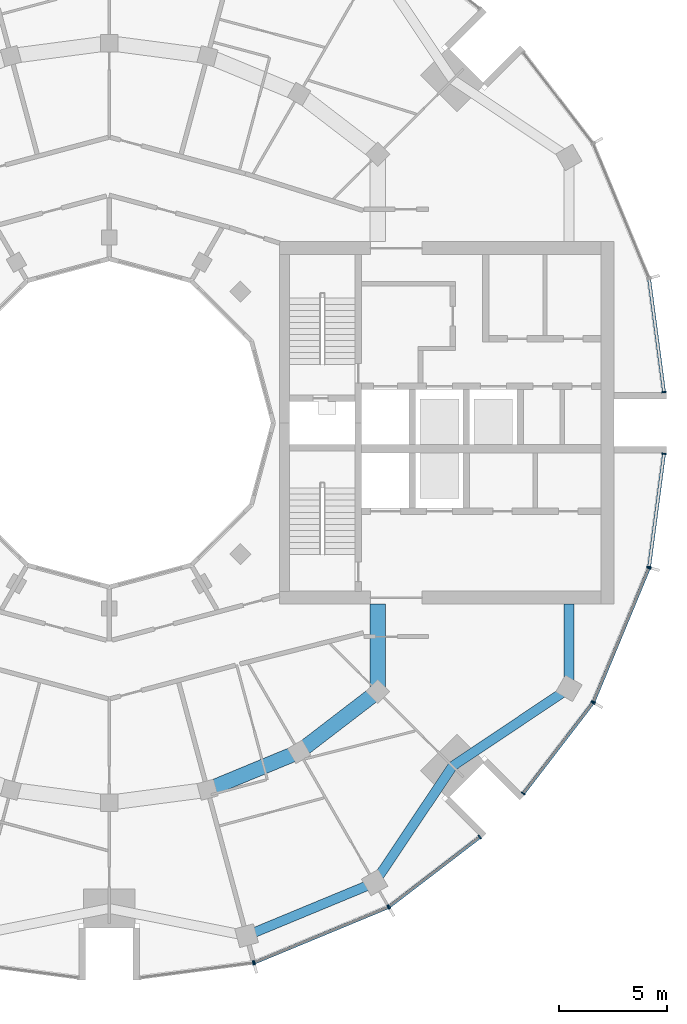
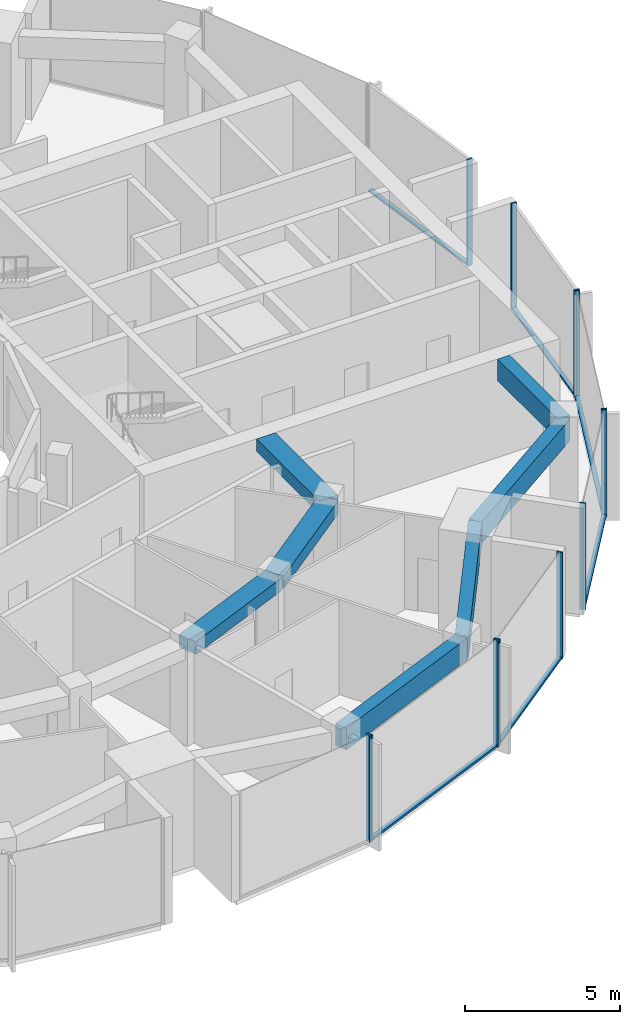
# One storey, part 4 of 15: 18 members, 7 beams, 7 elements without a shape of their own.
"""IFC4 building model written with IfcOpenShell, lengths in metres."""

from ifc_helpers import new_model, si_unit, direction, frame, origin, origin_2d, place, context, subcontext, project, spatial, rectangle, extrude, material, layer, layer_set, material_profile, profile_set, type_object, element, aggregate, save


model = new_model("IFC4")

# Units and contexts
model_context = context("Model", 3, precision=1e-05, world=origin(), true_north=direction((0.0, 1.0)))
body_context = subcontext(model_context, "Body", "Model", "MODEL_VIEW")
ifc_project = project(units=[si_unit("LENGTHUNIT", "METRE"), si_unit("AREAUNIT", "SQUARE_METRE"), si_unit("VOLUMEUNIT", "CUBIC_METRE"), si_unit("PLANEANGLEUNIT", "RADIAN"), si_unit("MASSUNIT", "GRAM", prefix="KILO")], contexts=[model_context])

# Site, building, storey
site_placement = place(None, origin())
site = spatial("IfcSite", under=ifc_project, at=site_placement, CompositionType="ELEMENT")
building_placement = place(site_placement, origin())
building = spatial("IfcBuilding", under=site, at=building_placement, Name="Torre Brocal", CompositionType="ELEMENT")
storey_placement = place(building_placement, frame((0.0, 0.0, 241.5)))
storey = spatial("IfcBuildingStorey", under=building, at=storey_placement, Name="L55", CompositionType="ELEMENT", Elevation=241.5)

# Curtain wall, member
ifc_material_1 = material(Name="Aluminium and glass", Category="aluminium")
ifc_layer_1 = layer(ifc_material_1, 0.199951171875)
ifc_layer_set_1 = layer_set([ifc_layer_1], Name="Aluminium and glass")
curtain_wall_type_1 = type_object("IfcCurtainWallType", Name="CW-1 CURTAIN WALL 4200 HIGH", PredefinedType="NOTDEFINED", material=ifc_layer_set_1)
curtain_wall_1_placement = place(storey_placement, origin())
curtain_wall_1 = element("IfcCurtainWall", 1, at=curtain_wall_1_placement, inside=storey, type_object=curtain_wall_type_1, Name="CW-1 RUN 19", PredefinedType="NOTDEFINED")
ifc_material_2 = material(Name="Aluminium, dark anodised", Category="aluminium")
ifc_material_profile_1 = material_profile(ifc_material_2, rectangle(XDim=0.199951171875, YDim=0.06005859375, at=origin_2d()), Name="CW-1 MULLION 60X200")
ifc_profile_set_1 = profile_set([ifc_material_profile_1], Name="Aluminium, dark anodised")
member_type_1 = type_object("IfcMemberType", Name="CW-1 MULLION 60X200", PredefinedType="MULLION", material=ifc_profile_set_1)
member_1_placement = place(storey_placement, frame((86.67333984375, 49.9794921875, 0.0), z_axis=(0.0, 0.0, 1.0), x_axis=(-0.13052619222, 0.991444861374, 0.0)))
member_1 = element("IfcMember", 2, at=member_1_placement, type_object=member_type_1, Name="CW1-5 mullion 2", PredefinedType="MULLION", context=body_context, shape_type="SweptSolid", body=[
    extrude(rectangle(XDim=0.199951171875, YDim=0.06005859375, at=origin_2d()), origin(), (0.0, 0.0, 1.0), 4.199951171875),
])
aggregate(curtain_wall_1, [member_1])

# Curtain wall, members
curtain_wall_2_placement = place(storey_placement, origin())
curtain_wall_2 = element("IfcCurtainWall", 3, at=curtain_wall_2_placement, inside=storey, type_object=curtain_wall_type_1, Name="CW-1 RUN 20", PredefinedType="NOTDEFINED")
member_2_placement = place(storey_placement, frame((86.73095703125, 49.994873046875, 0.0), z_axis=(0.0, 0.0, 1.0), x_axis=(-0.382683432333, 0.923879532525, 0.0)))
member_2 = element("IfcMember", 4, at=member_2_placement, type_object=member_type_1, Name="CW1-5 mullion 1", PredefinedType="MULLION", context=body_context, shape_type="SweptSolid", body=[
    extrude(rectangle(XDim=0.199951171875, YDim=0.06005859375, at=origin_2d()), origin(), (0.0, 0.0, 1.0), 4.199951171875),
])
member_3_placement = place(storey_placement, frame((92.921875, 52.559326171875, 0.0), z_axis=(0.0, 0.0, 1.0), x_axis=(-0.382683432333, 0.923879532525, 0.0)))
member_3 = element("IfcMember", 5, at=member_3_placement, type_object=member_type_1, Name="CW1-5 mullion 2", PredefinedType="MULLION", context=body_context, shape_type="SweptSolid", body=[
    extrude(rectangle(XDim=0.199951171875, YDim=0.06005859375, at=origin_2d()), origin(), (0.0, 0.0, 1.0), 4.199951171875),
])

curtain_wall_3_placement = place(storey_placement, origin())
curtain_wall_3 = element("IfcCurtainWall", 6, at=curtain_wall_3_placement, inside=storey, type_object=curtain_wall_type_1, Name="CW-1 RUN 21", PredefinedType="NOTDEFINED")
member_4_placement = place(storey_placement, frame((92.973388671875, 52.5888671875, 0.0), z_axis=(0.0, 0.0, 1.0), x_axis=(-0.60876142905, 0.793353340259, 0.0)))
member_4 = element("IfcMember", 7, at=member_4_placement, type_object=member_type_1, Name="CW1-5 mullion 1", PredefinedType="MULLION", context=body_context, shape_type="SweptSolid", body=[
    extrude(rectangle(XDim=0.199951171875, YDim=0.06005859375, at=origin_2d()), origin(), (0.0, 0.0, 1.0), 4.199951171875),
])
member_5_placement = place(storey_placement, frame((97.16943359375, 55.80859375, 0.0), z_axis=(0.0, 0.0, 1.0), x_axis=(-0.60876142905, 0.793353340259, 0.0)))
member_5 = element("IfcMember", 8, at=member_5_placement, type_object=member_type_1, Name="CW1-5 mullion 2", PredefinedType="MULLION", context=body_context, shape_type="SweptSolid", body=[
    extrude(rectangle(XDim=0.199951171875, YDim=0.06005859375, at=origin_2d()), origin(), (0.0, 0.0, 1.0), 4.199951171875),
])

curtain_wall_4_placement = place(storey_placement, origin())
curtain_wall_4 = element("IfcCurtainWall", 9, at=curtain_wall_4_placement, inside=storey, type_object=curtain_wall_type_1, Name="CW-1 RUN 22", PredefinedType="NOTDEFINED")
member_6_placement = place(storey_placement, frame((99.19140625, 57.83056640625, 0.0), z_axis=(0.0, 0.0, 1.0), x_axis=(-0.793353340259, 0.60876142905, 0.0)))
member_6 = element("IfcMember", 10, at=member_6_placement, type_object=member_type_1, Name="CW1-5 mullion 1", PredefinedType="MULLION", context=body_context, shape_type="SweptSolid", body=[
    extrude(rectangle(XDim=0.199951171875, YDim=0.06005859375, at=origin_2d()), origin(), (0.0, 0.0, 1.0), 4.199951171875),
])
member_7_placement = place(storey_placement, frame((102.4111328125, 62.026611328125, 0.0), z_axis=(0.0, 0.0, 1.0), x_axis=(-0.793353340259, 0.60876142905, 0.0)))
member_7 = element("IfcMember", 11, at=member_7_placement, type_object=member_type_1, Name="CW1-5 mullion 2", PredefinedType="MULLION", context=body_context, shape_type="SweptSolid", body=[
    extrude(rectangle(XDim=0.199951171875, YDim=0.06005859375, at=origin_2d()), origin(), (0.0, 0.0, 1.0), 4.199951171875),
])

curtain_wall_5_placement = place(storey_placement, origin())
curtain_wall_5 = element("IfcCurtainWall", 12, at=curtain_wall_5_placement, inside=storey, type_object=curtain_wall_type_1, Name="CW-1 RUN 23", PredefinedType="NOTDEFINED")
member_8_placement = place(storey_placement, frame((102.440673828125, 62.078125, 0.0), z_axis=(0.0, 0.0, 1.0), x_axis=(-0.923879532525, 0.382683432333, 0.0)))
member_8 = element("IfcMember", 13, at=member_8_placement, type_object=member_type_1, Name="CW1-5 mullion 1", PredefinedType="MULLION", context=body_context, shape_type="SweptSolid", body=[
    extrude(rectangle(XDim=0.199951171875, YDim=0.06005859375, at=origin_2d()), origin(), (0.0, 0.0, 1.0), 4.199951171875),
])
member_9_placement = place(storey_placement, frame((105.005126953125, 68.26904296875, 0.0), z_axis=(0.0, 0.0, 1.0), x_axis=(-0.923879532525, 0.382683432333, 0.0)))
member_9 = element("IfcMember", 14, at=member_9_placement, type_object=member_type_1, Name="CW1-5 mullion 2", PredefinedType="MULLION", context=body_context, shape_type="SweptSolid", body=[
    extrude(rectangle(XDim=0.199951171875, YDim=0.06005859375, at=origin_2d()), origin(), (0.0, 0.0, 1.0), 4.199951171875),
])

# Member
ifc_material_3 = material(Name="Aluminium, dark anodised", Category="aluminium")
ifc_material_profile_2 = material_profile(ifc_material_3, rectangle(XDim=0.159912109375, YDim=0.080078125, at=origin_2d()), Name="CW-1 TRANSOM 160X80")
ifc_profile_set_2 = profile_set([ifc_material_profile_2], Name="Aluminium, dark anodised")
member_type_2 = type_object("IfcMemberType", Name="CW-1 TRANSOM 160X80", PredefinedType="USERDEFINED", material=ifc_profile_set_2)
member_10_placement = place(storey_placement, frame((86.758544921875, 50.00634765625, 0.0400390625), z_axis=(0.923887344364, 0.38266457234, 0.0), x_axis=(-0.38266457234, 0.923887344364, 0.0)))
member_10 = element("IfcMember", 15, at=member_10_placement, type_object=member_type_2, Name="CW1-5 transom 1.1", ObjectType="TRANSOM", PredefinedType="USERDEFINED", context=body_context, shape_type="SweptSolid", body=[
    extrude(rectangle(XDim=0.159912109375, YDim=0.080078125, at=origin_2d()), origin(), (0.0, 0.0, 1.0), 6.640869140625),
])

aggregate(curtain_wall_2, [member_2, member_3, member_10])

member_11_placement = place(storey_placement, frame((92.9970703125, 52.607177734375, 0.0400390625), z_axis=(0.79336281513, 0.60874908096, 0.0), x_axis=(-0.60874908096, 0.79336281513, 0.0)))
member_11 = element("IfcMember", 16, at=member_11_placement, type_object=member_type_2, Name="CW1-5 transom 1.1", ObjectType="TRANSOM", PredefinedType="USERDEFINED", context=body_context, shape_type="SweptSolid", body=[
    extrude(rectangle(XDim=0.159912109375, YDim=0.080078125, at=origin_2d()), origin(), (0.0, 0.0, 1.0), 5.22900390625),
])

aggregate(curtain_wall_3, [member_4, member_5, member_11])

member_12_placement = place(storey_placement, frame((99.209716796875, 57.8544921875, 0.0400390625), z_axis=(0.60874908096, 0.79336281513, 0.0), x_axis=(-0.79336281513, 0.60874908096, 0.0)))
member_12 = element("IfcMember", 17, at=member_12_placement, type_object=member_type_2, Name="CW1-5 transom 1.1", ObjectType="TRANSOM", PredefinedType="USERDEFINED", context=body_context, shape_type="SweptSolid", body=[
    extrude(rectangle(XDim=0.159912109375, YDim=0.080078125, at=origin_2d()), origin(), (0.0, 0.0, 1.0), 5.22900390625),
])

aggregate(curtain_wall_4, [member_6, member_7, member_12])

member_13_placement = place(storey_placement, frame((102.452392578125, 62.10595703125, 0.0400390625), z_axis=(0.38266457234, 0.923887344364, 0.0), x_axis=(-0.923887344364, 0.38266457234, 0.0)))
member_13 = element("IfcMember", 18, at=member_13_placement, type_object=member_type_2, Name="CW1-5 transom 1.1", ObjectType="TRANSOM", PredefinedType="USERDEFINED", context=body_context, shape_type="SweptSolid", body=[
    extrude(rectangle(XDim=0.159912109375, YDim=0.080078125, at=origin_2d()), origin(), (0.0, 0.0, 1.0), 6.640869140625),
])

aggregate(curtain_wall_5, [member_8, member_9, member_13])

# Curtain wall, member
ifc_material_4 = material(Name="Aluminium and glass", Category="aluminium")
ifc_layer_2 = layer(ifc_material_4, 0.199951171875)
ifc_layer_set_2 = layer_set([ifc_layer_2], Name="Aluminium and glass")
curtain_wall_type_2 = type_object("IfcCurtainWallType", Name="CW-1B CURTAIN WALL 4200 HIGH", PredefinedType="NOTDEFINED", material=ifc_layer_set_2)
curtain_wall_6_placement = place(storey_placement, origin())
curtain_wall_6 = element("IfcCurtainWall", 19, at=curtain_wall_6_placement, inside=storey, type_object=curtain_wall_type_2, Name="CW-1B RUN 1", PredefinedType="NOTDEFINED")
ifc_material_5 = material(Name="Aluminium, dark anodised", Category="aluminium")
ifc_material_profile_3 = material_profile(ifc_material_5, rectangle(XDim=0.199951171875, YDim=0.06005859375, at=origin_2d()), Name="CW-1B MULLION 60X200")
ifc_profile_set_3 = profile_set([ifc_material_profile_3], Name="Aluminium, dark anodised")
member_type_3 = type_object("IfcMemberType", Name="CW-1B MULLION 60X200", PredefinedType="MULLION", material=ifc_profile_set_3)
member_14_placement = place(storey_placement, frame((105.7109375, 76.4296875, 0.0), z_axis=(0.0, 0.0, 1.0), x_axis=(-0.991444861374, -0.13052619222, 0.0)))
member_14 = element("IfcMember", 20, at=member_14_placement, type_object=member_type_3, Name="CW1B-5 mullion 1", PredefinedType="MULLION", context=body_context, shape_type="SweptSolid", body=[
    extrude(rectangle(XDim=0.199951171875, YDim=0.06005859375, at=origin_2d()), origin(), (0.0, 0.0, 1.0), 4.199951171875),
])

# Curtain wall, members
curtain_wall_7_placement = place(storey_placement, origin())
curtain_wall_7 = element("IfcCurtainWall", 21, at=curtain_wall_7_placement, inside=storey, type_object=curtain_wall_type_2, Name="CW-1B RUN 24", PredefinedType="NOTDEFINED")
member_15_placement = place(storey_placement, frame((105.0205078125, 68.32666015625, 0.0), z_axis=(0.0, 0.0, 1.0), x_axis=(-0.991444861374, 0.13052619222, 0.0)))
member_15 = element("IfcMember", 22, at=member_15_placement, type_object=member_type_3, Name="CW1B-5 mullion 1", PredefinedType="MULLION", context=body_context, shape_type="SweptSolid", body=[
    extrude(rectangle(XDim=0.199951171875, YDim=0.06005859375, at=origin_2d()), origin(), (0.0, 0.0, 1.0), 4.199951171875),
])
member_16_placement = place(storey_placement, frame((105.7109375, 73.5703125, 0.0), z_axis=(0.0, 0.0, 1.0), x_axis=(-0.991444861374, 0.13052619222, 0.0)))
member_16 = element("IfcMember", 23, at=member_16_placement, type_object=member_type_3, Name="CW1B-5 mullion 2", PredefinedType="MULLION", context=body_context, shape_type="SweptSolid", body=[
    extrude(rectangle(XDim=0.199951171875, YDim=0.06005859375, at=origin_2d()), origin(), (0.0, 0.0, 1.0), 4.199951171875),
])

# Member
ifc_material_6 = material(Name="Aluminium, dark anodised", Category="aluminium")
ifc_material_profile_4 = material_profile(ifc_material_6, rectangle(XDim=0.159912109375, YDim=0.080078125, at=origin_2d()), Name="CW-1B TRANSOM 160X80")
ifc_profile_set_4 = profile_set([ifc_material_profile_4], Name="Aluminium, dark anodised")
member_type_4 = type_object("IfcMemberType", Name="CW-1B TRANSOM 160X80", PredefinedType="USERDEFINED", material=ifc_profile_set_4)
member_17_placement = place(storey_placement, frame((105.70703125, 76.45947265625, 0.0400390625), z_axis=(-0.130542677827, 0.991442690863, 0.0), x_axis=(-0.991442690863, -0.130542677827, 0.0)))
member_17 = element("IfcMember", 24, at=member_17_placement, type_object=member_type_4, Name="CW1B-5 transom 1.1", ObjectType="TRANSOM", PredefinedType="USERDEFINED", context=body_context, shape_type="SweptSolid", body=[
    extrude(rectangle(XDim=0.159912109375, YDim=0.080078125, at=origin_2d()), origin(), (0.0, 0.0, 1.0), 5.22900390625),
])

aggregate(curtain_wall_6, [member_14, member_17])

member_18_placement = place(storey_placement, frame((105.0244140625, 68.356201171875, 0.0400390625), z_axis=(0.130542677827, 0.991442690863, 0.0), x_axis=(-0.991442690863, 0.130542677827, 0.0)))
member_18 = element("IfcMember", 25, at=member_18_placement, type_object=member_type_4, Name="CW1B-5 transom 1.1", ObjectType="TRANSOM", PredefinedType="USERDEFINED", context=body_context, shape_type="SweptSolid", body=[
    extrude(rectangle(XDim=0.159912109375, YDim=0.080078125, at=origin_2d()), origin(), (0.0, 0.0, 1.0), 5.22900390625),
])

aggregate(curtain_wall_7, [member_15, member_16, member_18])

# Beams
ifc_material_7 = material(Name="Concrete C50", Category="concrete")
ifc_material_profile_5 = material_profile(ifc_material_7, rectangle(XDim=0.699951171875, YDim=0.5, at=origin_2d()), Name="RC 700X500")
ifc_profile_set_5 = profile_set([ifc_material_profile_5], Name="Concrete C50")
beam_type_1 = type_object("IfcBeamType", Name="RC BEAM 700X500 C50 TOP 3880", PredefinedType="BEAM", material=ifc_profile_set_5)
beam_1_placement = place(storey_placement, frame((84.55517578125, 57.999755859375, 3.6298828125), z_axis=(0.923878240166, 0.382686552348, 0.0), x_axis=(-0.382686552348, 0.923878240166, 0.0)))
element("IfcBeam", 26, at=beam_1_placement, inside=storey, type_object=beam_type_1, Name="Beam BT-37", PredefinedType="BEAM", context=body_context, shape_type="SweptSolid", body=[
    extrude(rectangle(XDim=0.699951171875, YDim=0.5, at=origin_2d()), origin(), (0.0, 0.0, 1.0), 4.5947265625),
])
beam_2_placement = place(storey_placement, frame((88.800048828125, 59.758056640625, 3.6298828125), z_axis=(0.793358265959, 0.6087550097, 0.0), x_axis=(-0.6087550097, 0.793358265959, 0.0)))
element("IfcBeam", 27, at=beam_2_placement, inside=storey, type_object=beam_type_1, Name="Beam BT-37", PredefinedType="BEAM", context=body_context, shape_type="SweptSolid", body=[
    extrude(rectangle(XDim=0.699951171875, YDim=0.5, at=origin_2d()), origin(), (0.0, 0.0, 1.0), 4.594482421875),
])
beam_3_placement = place(storey_placement, frame((92.445068359375, 62.554931640625, 3.6298828125), z_axis=(0.0, 1.0, 0.0), x_axis=(-1.0, 0.0, 0.0)))
element("IfcBeam", 28, at=beam_3_placement, inside=storey, type_object=beam_type_1, Name="Beam BT-37", PredefinedType="BEAM", context=body_context, shape_type="SweptSolid", body=[
    extrude(rectangle(XDim=0.699951171875, YDim=0.5, at=origin_2d()), origin(), (0.0, 0.0, 1.0), 4.045166015625),
])
ifc_material_8 = material(Name="Concrete C50", Category="concrete")
ifc_material_profile_6 = material_profile(ifc_material_8, rectangle(XDim=0.449951171875, YDim=0.85009765625, at=origin_2d()), Name="RC 450X850")
ifc_profile_set_6 = profile_set([ifc_material_profile_6], Name="Concrete C50")
beam_type_2 = type_object("IfcBeamType", Name="RC SPANDREL BEAM 450X850 C50 TOP 3880", PredefinedType="SPANDREL", material=ifc_profile_set_6)
beam_4_placement = place(storey_placement, frame((86.366943359375, 51.23828125, 3.455078125), z_axis=(0.923882462513, 0.382676358639, 0.0), x_axis=(-0.382676358639, 0.923882462513, 0.0)))
element("IfcBeam", 29, at=beam_4_placement, inside=storey, type_object=beam_type_2, Name="Beam BT-38", PredefinedType="SPANDREL", context=body_context, shape_type="SweptSolid", body=[
    extrude(rectangle(XDim=0.449951171875, YDim=0.85009765625, at=origin_2d()), origin(), (0.0, 0.0, 1.0), 6.421875),
])
for number, where, z_axis, x_axis, name in (
    (30, (92.300048828125, 53.69580078125, 3.455078125), (0.556157602282, 0.831076844476, 0.0), (-0.831076844476, 0.556157602282, 0.0), "Beam BT-38"),
    (31, (95.909912109375, 59.090087890625, 3.455078125), (0.831076844476, 0.556157602282, 0.0), (-0.556157602282, 0.831076844476, 0.0), "Beam BT-38"),
):
    element("IfcBeam", number, at=place(storey_placement, frame(where, z_axis=z_axis, x_axis=x_axis)), inside=storey, type_object=beam_type_2, Name=name, PredefinedType="SPANDREL", context=body_context, shape_type="SweptSolid", body=[
        extrude(rectangle(XDim=0.449951171875, YDim=0.85009765625, at=origin_2d()), origin(), (0.0, 0.0, 1.0), 6.49072265625),
    ])
beam_5_placement = place(storey_placement, frame((101.30419921875, 62.699951171875, 3.455078125), z_axis=(0.0, 1.0, 0.0), x_axis=(-1.0, 0.0, 0.0)))
element("IfcBeam", 32, at=beam_5_placement, inside=storey, type_object=beam_type_2, Name="Beam BT-38", PredefinedType="SPANDREL", context=body_context, shape_type="SweptSolid", body=[
    extrude(rectangle(XDim=0.449951171875, YDim=0.85009765625, at=origin_2d()), origin(), (0.0, 0.0, 1.0), 3.900146484375),
])

save(model, "model.ifc")
